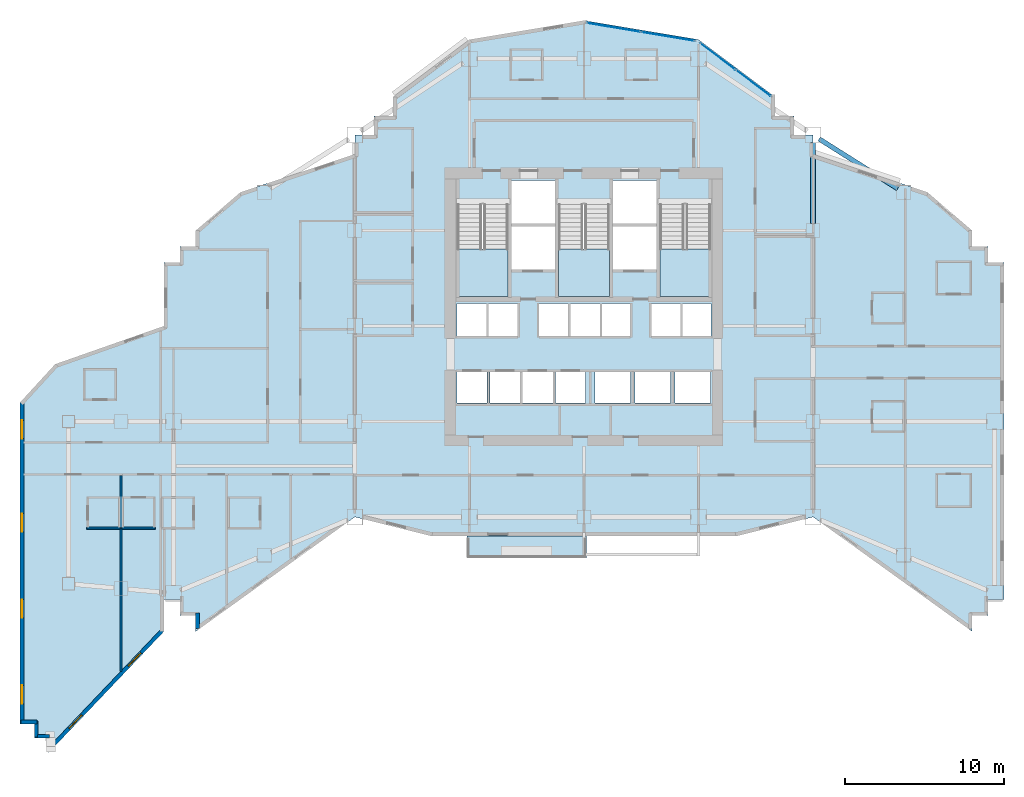
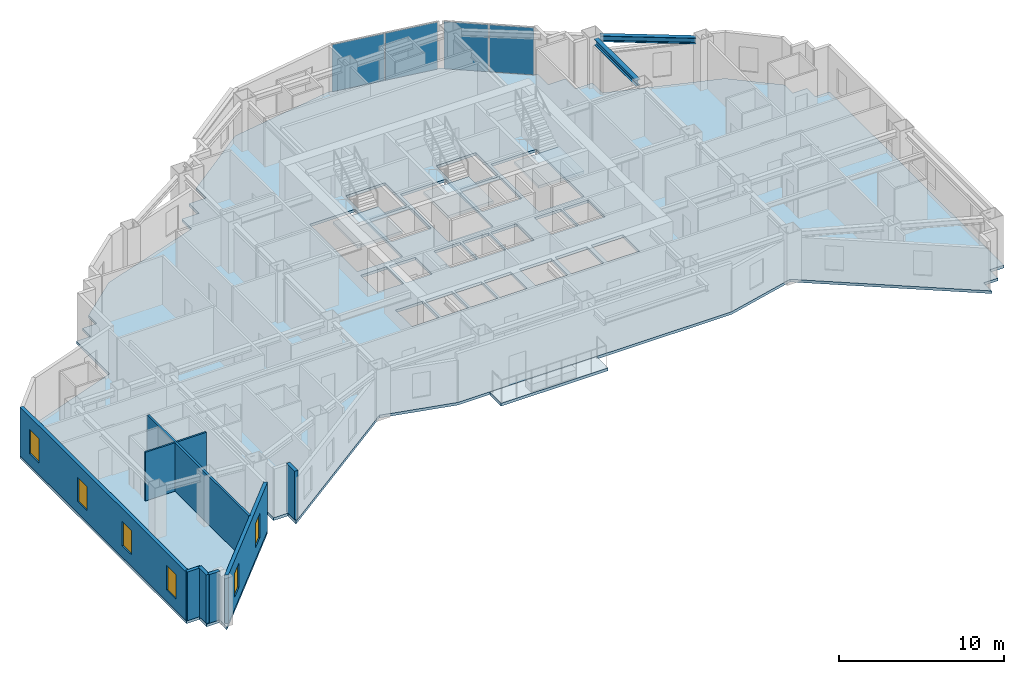
# One storey, part 4 of 13: 9 walls, 6 windows, 5 slabs, 4 plates, 2 beams, 6 openings, 5 elements without a shape of their own.
"""IFC4 building model written with IfcOpenShell, lengths in metres."""

import ifcopenshell
import ifcopenshell.guid

model = None  # the IFC model being written
_history = None  # IfcOwnerHistory: only IFC2X3 demands one
_inside = {}  # id of a spatial element -> (the spatial element, [elements in it])
_under = {}  # id of a project, library or spatial element -> (it, [spatial elements below it])
_declared = {}  # id of a project -> (the project, [libraries it declares])
_typed = {}  # id of a type object -> (the type object, [elements of that type])
_made_of = {}  # id of a material, layer set ... -> (it, [elements and type objects made of it])


def new_model(schema):
    """Start an empty IFC model of exactly this schema.

    Asked for "IFC4X3", IfcOpenShell would pick the latest addendum, in which some entities
    have other attributes; the version numbers below select the first issue.
    IFC2X3 requires an IfcOwnerHistory on every rooted entity: one is made here for all.
    """
    global model, _history
    if schema == "IFC4X3":
        model = ifcopenshell.file(schema_version=(4, 3, 0, 0))
    else:
        model = ifcopenshell.file(schema=schema)
    _inside.clear()
    _under.clear()
    _declared.clear()
    _typed.clear()
    _made_of.clear()
    _history = None
    if model.schema == "IFC2X3":
        org = make("IfcOrganization", Name="unknown")
        user = make(
            "IfcPersonAndOrganization",
            ThePerson=make("IfcPerson", FamilyName="unknown"),
            TheOrganization=org,
        )
        app = make(
            "IfcApplication",
            ApplicationDeveloper=org,
            Version="unknown",
            ApplicationFullName="unknown",
            ApplicationIdentifier="unknown",
        )
        _history = make(
            "IfcOwnerHistory",
            OwningUser=user,
            OwningApplication=app,
            ChangeAction="ADDED",
            CreationDate=0,
        )
    return model


def make(cls, **values):
    """One entity of the class cls with the attributes given. An attribute that is None is left unset."""
    return model.create_entity(
        cls, **{name: value for name, value in values.items() if value is not None}
    )


def rooted(cls, **values):
    """An entity with a GlobalId (a new one), such as an element, a storey or a relation."""
    return make(cls, GlobalId=ifcopenshell.guid.new(), OwnerHistory=_history, **values)


def si_unit(unit_type, name, prefix=None):
    """IfcSIUnit, for example si_unit("LENGTHUNIT", "METRE", prefix="MILLI")."""
    return make("IfcSIUnit", UnitType=unit_type, Prefix=prefix, Name=name)


def assignment(units):
    """IfcUnitAssignment: the units of a project."""
    return None if units is None else make("IfcUnitAssignment", Units=units)


def point(xyz):
    """IfcCartesianPoint."""
    return None if xyz is None else make("IfcCartesianPoint", Coordinates=xyz)


def direction(xyz):
    """IfcDirection."""
    return None if xyz is None else make("IfcDirection", DirectionRatios=xyz)


def frame(location, z_axis=None, x_axis=None):
    """IfcAxis2Placement3D, a coordinate frame: its origin and axes. An axis left out is left unset."""
    return make(
        "IfcAxis2Placement3D",
        Location=point(location),
        Axis=direction(z_axis),
        RefDirection=direction(x_axis),
    )


def frame_2d(location, x_axis=None):
    """IfcAxis2Placement2D, a coordinate frame in the plane: its origin and x axis."""
    return make(
        "IfcAxis2Placement2D", Location=point(location), RefDirection=direction(x_axis)
    )


def origin():
    """The frame at (0, 0, 0) with its axes left unset."""
    return frame((0.0, 0.0, 0.0))


def origin_2d():
    """The frame at (0, 0) in the plane with its x axis left unset."""
    return frame_2d((0.0, 0.0))


def place(relative_to, where):
    """IfcLocalPlacement: puts the frame where relative to a parent placement (None: the world)."""
    return make(
        "IfcLocalPlacement", PlacementRelTo=relative_to, RelativePlacement=where
    )


def context(
    kind, dimensions, precision=None, world=None, true_north=None, identifier=None
):
    """IfcGeometricRepresentationContext, for example the 3D "Model" context."""
    return make(
        "IfcGeometricRepresentationContext",
        ContextIdentifier=identifier,
        ContextType=kind,
        CoordinateSpaceDimension=dimensions,
        Precision=precision,
        WorldCoordinateSystem=world,
        TrueNorth=true_north,
    )


def subcontext(parent, identifier, kind, view, scale=None):
    """IfcGeometricRepresentationSubContext, for example "Body" below "Model"."""
    return make(
        "IfcGeometricRepresentationSubContext",
        ContextIdentifier=identifier,
        ContextType=kind,
        ParentContext=parent,
        TargetScale=scale,
        TargetView=view,
    )


def project(units=None, contexts=None):
    """IfcProject with its units and contexts."""
    return rooted(
        "IfcProject",
        Name="project",
        RepresentationContexts=contexts,
        UnitsInContext=assignment(units),
    )


def spatial(cls, under=None, at=None, **own):
    """A site, building, storey or space (cls), placed at a placement, below another one or the project."""
    s = rooted(cls, ObjectPlacement=at, **own)
    if under is not None:
        _under.setdefault(under.id(), (under, []))[1].append(s)
    return s


def polyline(points):
    """IfcPolyline through the points."""
    return make("IfcPolyline", Points=[point(p) for p in points])


def profile(cls, at=None, kind="AREA", **sizes):
    """A parametric profile (cls). Its sizes go by their IFC names, for example OverallWidth=200.0."""
    return make(cls, ProfileType=kind, Position=at, **sizes)


def rectangle(**sizes):
    """IfcRectangleProfileDef."""
    return profile("IfcRectangleProfileDef", **sizes)


def i_section(**sizes):
    """IfcIShapeProfileDef."""
    return profile("IfcIShapeProfileDef", **sizes)


def outline(outer, holes=None, kind="AREA"):
    """IfcArbitraryClosedProfileDef: a profile drawn as a closed curve; with holes, ...WithVoids."""
    if holes is None:
        return make("IfcArbitraryClosedProfileDef", ProfileType=kind, OuterCurve=outer)
    return make(
        "IfcArbitraryProfileDefWithVoids",
        ProfileType=kind,
        OuterCurve=outer,
        InnerCurves=holes,
    )


def extrude(swept, where, along, depth):
    """IfcExtrudedAreaSolid: the profile swept, set in the frame where, extruded along a direction by depth."""
    return make(
        "IfcExtrudedAreaSolid",
        SweptArea=swept,
        Position=where,
        ExtrudedDirection=direction(along),
        Depth=depth,
    )


def shape(context_of_items, identifier, shape_type, items):
    """IfcShapeRepresentation: the items that make up one representation, for example the "Body"."""
    return make(
        "IfcShapeRepresentation",
        ContextOfItems=context_of_items,
        RepresentationIdentifier=identifier,
        RepresentationType=shape_type,
        Items=items,
    )


def material(Name=None, Category=None):
    """IfcMaterial."""
    return make("IfcMaterial", Name=Name, Category=Category)


def layer(
    of_material, thickness, ventilated=None, Name=None, Category=None, Priority=None
):
    """IfcMaterialLayer: one layer of a wall or slab, of a material (None: an air gap)."""
    return make(
        "IfcMaterialLayer",
        Material=of_material,
        LayerThickness=thickness,
        IsVentilated=ventilated,
        Name=Name,
        Category=Category,
        Priority=Priority,
    )


def layer_set(layers, Name=None):
    """IfcMaterialLayerSet."""
    return make("IfcMaterialLayerSet", MaterialLayers=layers, LayerSetName=Name)


def material_profile(
    of_material, cross_section, Name=None, Category=None, Priority=None
):
    """IfcMaterialProfile: a cross section and its material."""
    return make(
        "IfcMaterialProfile",
        Name=Name,
        Material=of_material,
        Profile=cross_section,
        Priority=Priority,
        Category=Category,
    )


def profile_set(profiles, Name=None, composite=None):
    """IfcMaterialProfileSet."""
    return make(
        "IfcMaterialProfileSet",
        Name=Name,
        MaterialProfiles=profiles,
        CompositeProfile=composite,
    )


def made_of(thing, what):
    """Note that an element or type object is made of a material, layer set ...; save() writes the relation."""
    if what is not None:
        _made_of.setdefault(what.id(), (what, []))[1].append(thing)
    return thing


def type_object(cls, material=None, **own):
    """A type object (cls), such as IfcWallType, which elements share."""
    return made_of(rooted(cls, **own), material)


def element(
    cls,
    number,
    at=None,
    inside=None,
    cuts=None,
    type_object=None,
    material=None,
    context=None,
    identifier="Body",
    shape_type=None,
    held_by="IfcProductDefinitionShape",
    body=None,
    shapes=None,
    **own,
):
    """One element of the class cls, such as IfcWall. Its Tag is "e" and its number.

    at: its placement. inside: the storey or other place that contains it. cuts: it is an
    opening in that element (IfcRelVoidsElement). A single representation is given by context,
    identifier, shape_type and body (its items); several are given by shapes. held_by: the class
    of the entity that holds the representations. save() writes the other relations.
    """
    e = rooted(cls, Tag="e%d" % number, ObjectPlacement=at, **own)
    if body is not None:
        shapes = [shape(context, identifier, shape_type, body)]
    if shapes is not None:
        e.Representation = make(held_by, Representations=shapes)
    if inside is not None:
        _inside.setdefault(inside.id(), (inside, []))[1].append(e)
    if cuts is not None:
        rooted(
            "IfcRelVoidsElement", RelatingBuildingElement=cuts, RelatedOpeningElement=e
        )
    if type_object is not None:
        _typed.setdefault(type_object.id(), (type_object, []))[1].append(e)
    return made_of(e, material)


def fill(opening, filler):
    """IfcRelFillsElement: the door or window that sits in an opening."""
    return rooted(
        "IfcRelFillsElement",
        RelatingOpeningElement=opening,
        RelatedBuildingElement=filler,
    )


def aggregate(whole, parts):
    """IfcRelAggregates: a whole, such as a stair, and the parts it consists of."""
    return rooted("IfcRelAggregates", RelatingObject=whole, RelatedObjects=parts)


def save(model, path):
    """Write the relations noted so far, then the file.

    IfcRelAggregates (storeys below a building ...), IfcRelContainedInSpatialStructure (elements
    in a storey), IfcRelDefinesByType, IfcRelAssociatesMaterial and IfcRelDeclares: one each for
    every whole, place, type object, material and project.
    """
    for whole, parts in _under.values():
        aggregate(whole, parts)
    for where, things in _inside.values():
        rooted(
            "IfcRelContainedInSpatialStructure",
            RelatedElements=things,
            RelatingStructure=where,
        )
    for kind, things in _typed.values():
        rooted("IfcRelDefinesByType", RelatedObjects=things, RelatingType=kind)
    for what, things in _made_of.values():
        rooted("IfcRelAssociatesMaterial", RelatedObjects=things, RelatingMaterial=what)
    for by, libraries in _declared.values():
        rooted("IfcRelDeclares", RelatingContext=by, RelatedDefinitions=libraries)
    model.write(path)


model = new_model("IFC4")

# Units and contexts
model_context = context("Model", 3, precision=1e-05, world=origin(), true_north=direction((0.0, 1.0)))
body_context = subcontext(model_context, "Body", "Model", "MODEL_VIEW")
ifc_project = project(units=[si_unit("LENGTHUNIT", "METRE"), si_unit("AREAUNIT", "SQUARE_METRE"), si_unit("VOLUMEUNIT", "CUBIC_METRE"), si_unit("PLANEANGLEUNIT", "RADIAN"), si_unit("MASSUNIT", "GRAM", prefix="KILO")], contexts=[model_context])

# Site, building, storey
site_placement = place(None, origin())
site = spatial("IfcSite", under=ifc_project, at=site_placement, CompositionType="ELEMENT")
building_placement = place(site_placement, origin())
building = spatial("IfcBuilding", under=site, at=building_placement, Name="Haolan Belvedere Tower", CompositionType="ELEMENT")
storey_placement = place(building_placement, frame((0.0, 0.0, 102.199951171875)))
storey = spatial("IfcBuildingStorey", under=building, at=storey_placement, Name="L25", CompositionType="ELEMENT", Elevation=102.199951171875)

# Beams
ifc_material_1 = material(Name="Steel Q355B", Category="steel")
ifc_material_profile = material_profile(ifc_material_1, i_section(OverallWidth=0.300048828125, OverallDepth=0.43994140625, WebThickness=0.010986328125, FlangeThickness=0.01806640625, FilletRadius=0.02392578125, at=origin_2d()), Name="Steel Q355B")
ifc_profile_set = profile_set([ifc_material_profile], Name="Steel Q355B")
beam_type = type_object("IfcBeamType", Name="BM-HM440x300x11x18", PredefinedType="SPANDREL", material=ifc_profile_set)
beam_1_placement = place(storey_placement, frame((52.800048828125, 40.050048828125, 3.380126953125), z_axis=(0.0, 1.0, 0.0), x_axis=(-1.0, 0.0, 0.0)))
element("IfcBeam", 1, at=beam_1_placement, inside=storey, type_object=beam_type, Name="L25 spandrel girder TC-T3-E2-MC-T3-NE", PredefinedType="SPANDREL", context=body_context, shape_type="SweptSolid", body=[
    extrude(i_section(OverallWidth=0.300048828125, OverallDepth=0.43994140625, WebThickness=0.010986328125, FlangeThickness=0.01806640625, FilletRadius=0.02392578125, at=origin_2d()), origin(), (0.0, 0.0, 1.0), 5.099853515625),
])
beam_2_placement = place(storey_placement, frame((53.180419921875, 45.359619140625, 3.380126953125), z_axis=(0.845497840649, -0.533978839898, 0.0), x_axis=(0.533978839898, 0.845497840649, 0.0)))
element("IfcBeam", 2, at=beam_2_placement, inside=storey, type_object=beam_type, Name="L25 spandrel girder MC-T3-NE-TC-T4-N1", PredefinedType="SPANDREL", context=body_context, shape_type="SweptSolid", body=[
    extrude(i_section(OverallWidth=0.300048828125, OverallDepth=0.43994140625, WebThickness=0.010986328125, FlangeThickness=0.01806640625, FilletRadius=0.02392578125, at=origin_2d()), origin(), (0.0, 0.0, 1.0), 5.841796875),
])

# Curtain wall, plates
ifc_material_2 = material(Name="Anodised champagne-silver aluminium 6063-T6 and Low-E glass", Category="aluminium")
ifc_layer_1 = layer(ifc_material_2, 0.155029296875, Name="Anodised champagne-silver aluminium 6063-T6 and Low-E glass")
ifc_layer_set_1 = layer_set([ifc_layer_1], Name="Anodised champagne-silver aluminium 6063-T6 and Low-E glass")
curtain_wall_type = type_object("IfcCurtainWallType", Name="CW-SYS-03", PredefinedType="NOTDEFINED", material=ifc_layer_set_1)
curtain_wall_1_placement = place(storey_placement, origin())
curtain_wall_1 = element("IfcCurtainWall", 3, at=curtain_wall_1_placement, inside=storey, type_object=curtain_wall_type, Name="L25 CW-SYS-03 ribbon curtain wall 26.1", PredefinedType="NOTDEFINED")
ifc_material_3 = material(Name="Double silver Low-E laminated insulating glass", Category="glass")
ifc_layer_2 = layer(ifc_material_3, 0.02392578125, Name="Double silver Low-E laminated insulating glass")
ifc_layer_set_2 = layer_set([ifc_layer_2], Name="Double silver Low-E laminated insulating glass")
plate_type = type_object("IfcPlateType", Name="CW-SYS-03-PNL", PredefinedType="CURTAIN_PANEL", material=ifc_layer_set_2)
plate_1_placement = place(storey_placement, frame((49.0302734375, 48.877197265625, 0.05419921875), z_axis=(0.0, 0.0, 1.0), x_axis=(-0.800004262313, 0.599994316874, 0.0)))
plate_1 = element("IfcPlate", 4, at=plate_1_placement, type_object=plate_type, Name="CW-03 panel 1.1", PredefinedType="CURTAIN_PANEL", context=body_context, shape_type="SweptSolid", body=[
    extrude(rectangle(XDim=2.728271484375, YDim=0.02392578125, at=origin_2d()), origin(), (0.0, 0.0, 1.0), 3.491943359375),
])
plate_2_placement = place(storey_placement, frame((46.80126953125, 50.549072265625, 0.05419921875), z_axis=(0.0, 0.0, 1.0), x_axis=(-0.800004262313, 0.599994316874, 0.0)))
plate_2 = element("IfcPlate", 5, at=plate_2_placement, type_object=plate_type, Name="CW-03 panel 2.1", PredefinedType="CURTAIN_PANEL", context=body_context, shape_type="SweptSolid", body=[
    extrude(rectangle(XDim=2.728271484375, YDim=0.02392578125, at=origin_2d()), origin(), (0.0, 0.0, 1.0), 3.491943359375),
])
aggregate(curtain_wall_1, [plate_1, plate_2])

curtain_wall_2_placement = place(storey_placement, origin())
curtain_wall_2 = element("IfcCurtainWall", 6, at=curtain_wall_2_placement, inside=storey, type_object=curtain_wall_type, Name="L25 CW-SYS-03 ribbon curtain wall 27.1", PredefinedType="NOTDEFINED")
plate_3_placement = place(storey_placement, frame((43.68017578125, 51.79833984375, 0.05419921875), z_axis=(0.0, 0.0, 1.0), x_axis=(-0.9863931483, 0.16440364043, 0.0)))
plate_3 = element("IfcPlate", 7, at=plate_3_placement, type_object=plate_type, Name="CW-03 panel 1.1", PredefinedType="CURTAIN_PANEL", context=body_context, shape_type="SweptSolid", body=[
    extrude(rectangle(XDim=3.39794921875, YDim=0.02392578125, at=origin_2d()), origin(), (0.0, 0.0, 1.0), 3.491943359375),
])
plate_4_placement = place(storey_placement, frame((40.271240234375, 52.366455078125, 0.05419921875), z_axis=(0.0, 0.0, 1.0), x_axis=(-0.9863931483, 0.16440364043, 0.0)))
plate_4 = element("IfcPlate", 8, at=plate_4_placement, type_object=plate_type, Name="CW-03 panel 2.1", PredefinedType="CURTAIN_PANEL", context=body_context, shape_type="SweptSolid", body=[
    extrude(rectangle(XDim=3.39794921875, YDim=0.02392578125, at=origin_2d()), origin(), (0.0, 0.0, 1.0), 3.491943359375),
])
aggregate(curtain_wall_2, [plate_3, plate_4])

# Slabs
ifc_material_4 = material(Name="Concrete C40/50", Category="concrete")
ifc_layer_3 = layer(ifc_material_4, 0.2099609375, Name="Concrete C40/50")
ifc_layer_set_3 = layer_set([ifc_layer_3], Name="Concrete C40/50")
slab_type_1 = type_object("IfcSlabType", Name="SL-BAL-210", PredefinedType="FLOOR", material=ifc_layer_set_3)
slab_1_placement = place(storey_placement, frame((0.0, 0.0, -0.22998046875)))
element("IfcSlab", 9, at=slab_1_placement, inside=storey, type_object=slab_type_1, Name="L25 structural tree-planter balcony slab BAL-L25-S1", PredefinedType="FLOOR", context=body_context, shape_type="SweptSolid", body=[
    extrude(outline(polyline([(31.050048828125, 19.02001953125), (38.550048828125, 19.02001953125), (38.550048828125, 20.39990234375), (31.050048828125, 20.39990234375), (31.050048828125, 19.02001953125)])), origin(), (0.0, 0.0, 1.0), 0.2099609375),
])
ifc_layer_4 = layer(ifc_material_4, 0.199951171875, Name="Concrete C40/50")
ifc_layer_set_4 = layer_set([ifc_layer_4], Name="Concrete C40/50")
slab_type_2 = type_object("IfcSlabType", Name="SL-FLR-200", PredefinedType="FLOOR", material=ifc_layer_set_4)
slab_2_placement = place(storey_placement, frame((0.0, 0.0, -0.199951171875)))
element("IfcSlab", 10, at=slab_2_placement, inside=storey, type_object=slab_type_2, Name="L25 structural floor slab", PredefinedType="FLOOR", context=body_context, shape_type="SweptSolid", body=[
    extrude(outline(polyline([(12.0, 14.39990234375), (12.0, 16.39990234375), (13.0, 16.39990234375), (13.0, 15.39990234375), (14.0, 15.39990234375), (14.0, 14.39990234375), (24.0, 21.60009765625), (28.800048828125, 20.39990234375), (48.0, 20.39990234375), (52.800048828125, 21.60009765625), (62.800048828125, 14.39990234375), (62.800048828125, 15.39990234375), (63.800048828125, 15.39990234375), (63.800048828125, 16.39990234375), (64.800048828125, 16.39990234375), (64.800048828125, 37.60009765625), (63.800048828125, 37.60009765625), (63.800048828125, 38.60009765625), (62.800048828125, 38.60009765625), (62.800048828125, 39.60009765625), (60.0, 42.0), (52.800048828125, 44.39990234375), (52.800048828125, 45.60009765625), (51.60009765625, 45.60009765625), (51.60009765625, 46.800048828125), (50.39990234375, 46.800048828125), (50.39990234375, 48.0), (45.60009765625, 51.60009765625), (38.39990234375, 52.800048828125), (31.199951171875, 51.60009765625), (26.39990234375, 48.0), (26.39990234375, 46.800048828125), (25.199951171875, 46.800048828125), (25.199951171875, 45.60009765625), (24.0, 45.60009765625), (24.0, 44.39990234375), (16.800048828125, 42.0), (14.0, 39.60009765625), (14.0, 38.60009765625), (13.0, 38.60009765625), (13.0, 37.60009765625), (12.0, 37.60009765625), (12.0, 33.60009765625), (5.159912109375, 31.199951171875), (2.9599609375, 28.800048828125), (2.9599609375, 9.19189453125), (2.9599609375, 8.592041015625), (3.860107421875, 8.592041015625), (3.860107421875, 7.69189453125), (4.760009765625, 7.69189453125), (4.760009765625, 6.7919921875), (12.0, 14.39990234375)]), holes=[polyline([(30.449951171875, 41.22998046875), (30.449951171875, 35.449951171875), (33.6298828125, 35.449951171875), (33.6298828125, 41.22998046875), (30.449951171875, 41.22998046875)]), polyline([(36.81005859375, 41.22998046875), (36.81005859375, 35.449951171875), (39.989990234375, 35.449951171875), (39.989990234375, 41.22998046875), (36.81005859375, 41.22998046875)]), polyline([(43.169921875, 41.22998046875), (43.169921875, 35.449951171875), (46.35009765625, 35.449951171875), (46.35009765625, 41.22998046875), (43.169921875, 41.22998046875)]), polyline([(33.830078125, 40.050048828125), (36.610107421875, 40.050048828125), (36.610107421875, 42.75), (33.830078125, 42.75), (33.830078125, 40.050048828125)]), polyline([(33.830078125, 37.14990234375), (36.610107421875, 37.14990234375), (36.610107421875, 39.85009765625), (33.830078125, 39.85009765625), (33.830078125, 37.14990234375)]), polyline([(40.18994140625, 40.050048828125), (42.969970703125, 40.050048828125), (42.969970703125, 42.75), (40.18994140625, 42.75), (40.18994140625, 40.050048828125)]), polyline([(40.18994140625, 37.14990234375), (42.969970703125, 37.14990234375), (42.969970703125, 39.85009765625), (40.18994140625, 39.85009765625), (40.18994140625, 37.14990234375)]), polyline([(30.419921875, 32.949951171875), (32.27001953125, 32.949951171875), (32.27001953125, 35.0), (30.419921875, 35.0), (30.419921875, 32.949951171875)]), polyline([(32.409912109375, 32.949951171875), (34.260009765625, 32.949951171875), (34.260009765625, 35.0), (32.409912109375, 35.0), (32.409912109375, 32.949951171875)]), polyline([(35.56005859375, 32.949951171875), (37.409912109375, 32.949951171875), (37.409912109375, 35.0), (35.56005859375, 35.0), (35.56005859375, 32.949951171875)]), polyline([(37.550048828125, 32.949951171875), (39.39990234375, 32.949951171875), (39.39990234375, 35.0), (37.550048828125, 35.0), (37.550048828125, 32.949951171875)]), polyline([(39.5400390625, 32.949951171875), (41.389892578125, 32.949951171875), (41.389892578125, 35.0), (39.5400390625, 35.0), (39.5400390625, 32.949951171875)]), polyline([(42.6201171875, 32.949951171875), (44.469970703125, 32.949951171875), (44.469970703125, 35.0), (42.6201171875, 35.0), (42.6201171875, 32.949951171875)]), polyline([(44.580078125, 32.949951171875), (46.3798828125, 32.949951171875), (46.3798828125, 35.0), (44.580078125, 35.0), (44.580078125, 32.949951171875)]), polyline([(30.419921875, 28.75), (32.320068359375, 28.75), (32.320068359375, 30.75), (30.419921875, 30.75), (30.419921875, 28.75)]), polyline([(32.47998046875, 28.75), (34.3798828125, 28.75), (34.3798828125, 30.75), (32.47998046875, 30.75), (32.47998046875, 28.75)]), polyline([(34.5400390625, 28.75), (36.43994140625, 28.75), (36.43994140625, 30.75), (34.5400390625, 30.75), (34.5400390625, 28.75)]), polyline([(36.60009765625, 28.75), (38.5, 28.75), (38.5, 30.75), (36.60009765625, 30.75), (36.60009765625, 28.75)]), polyline([(39.10009765625, 28.75), (41.340087890625, 28.75), (41.340087890625, 30.75), (39.10009765625, 30.75), (39.10009765625, 28.75)]), polyline([(41.610107421875, 28.75), (43.85009765625, 28.75), (43.85009765625, 30.75), (41.610107421875, 30.75), (41.610107421875, 28.75)]), polyline([(44.1201171875, 28.75), (46.360107421875, 28.75), (46.360107421875, 30.75), (44.1201171875, 30.75), (44.1201171875, 28.75)])]), origin(), (0.0, 0.0, 1.0), 0.199951171875),
])

# Stair, slab
stair_type = type_object("IfcStairType", Name="STR-DL-22R-173", PredefinedType="HALF_TURN_STAIR", material=ifc_material_4)
stair_1_placement = place(storey_placement, origin())
stair_1 = element("IfcStair", 11, at=stair_1_placement, inside=storey, type_object=stair_type, Name="L25 Smokeproof Core Exit Stair ST1", PredefinedType="HALF_TURN_STAIR")
ifc_layer_5 = layer(ifc_material_4, 0.199951171875, Name="Concrete C40/50")
ifc_layer_set_5 = layer_set([ifc_layer_5], Name="Concrete C40/50")
slab_type_3 = type_object("IfcSlabType", Name="SL-LAND-200", PredefinedType="LANDING", material=ifc_layer_set_5)
slab_3_placement = place(storey_placement, frame((0.0, 0.0, 1.699951171875)))
slab_3 = element("IfcSlab", 12, at=slab_3_placement, type_object=slab_type_3, Name="ST1 landing 1", PredefinedType="LANDING", context=body_context, shape_type="SweptSolid", body=[
    extrude(outline(polyline([(30.449951171875, 38.429931640625), (30.449951171875, 35.449951171875), (33.6298828125, 35.449951171875), (33.6298828125, 38.429931640625), (30.449951171875, 38.429931640625)])), origin(), (0.0, 0.0, 1.0), 0.2001953125),
])
aggregate(stair_1, [slab_3])

stair_2_placement = place(storey_placement, origin())
stair_2 = element("IfcStair", 13, at=stair_2_placement, inside=storey, type_object=stair_type, Name="L25 Smokeproof Core Exit Stair ST3", PredefinedType="HALF_TURN_STAIR")
slab_4_placement = place(storey_placement, frame((0.0, 0.0, 1.699951171875)))
slab_4 = element("IfcSlab", 14, at=slab_4_placement, type_object=slab_type_3, Name="ST3 landing 1", PredefinedType="LANDING", context=body_context, shape_type="SweptSolid", body=[
    extrude(outline(polyline([(36.81005859375, 38.429931640625), (36.81005859375, 35.449951171875), (39.989990234375, 35.449951171875), (39.989990234375, 38.429931640625), (36.81005859375, 38.429931640625)])), origin(), (0.0, 0.0, 1.0), 0.2001953125),
])
aggregate(stair_2, [slab_4])

stair_3_placement = place(storey_placement, origin())
stair_3 = element("IfcStair", 15, at=stair_3_placement, inside=storey, type_object=stair_type, Name="L25 Smokeproof Core Exit Stair ST2", PredefinedType="HALF_TURN_STAIR")
slab_5_placement = place(storey_placement, frame((0.0, 0.0, 1.699951171875)))
slab_5 = element("IfcSlab", 16, at=slab_5_placement, type_object=slab_type_3, Name="ST2 landing 1", PredefinedType="LANDING", context=body_context, shape_type="SweptSolid", body=[
    extrude(outline(polyline([(43.169921875, 38.429931640625), (43.169921875, 35.449951171875), (46.35009765625, 35.449951171875), (46.35009765625, 38.429931640625), (43.169921875, 38.429931640625)])), origin(), (0.0, 0.0, 1.0), 0.2001953125),
])
aggregate(stair_3, [slab_5])

# Wall
ifc_material_5 = material(Name="Precast concrete C40/50", Category="concrete")
ifc_layer_6 = layer(ifc_material_5, 0.239990234375, Name="Precast concrete C40/50")
ifc_layer_set_6 = layer_set([ifc_layer_6], Name="Precast concrete C40/50")
wall_type_1 = type_object("IfcWallType", Name="WL-EXT-240", PredefinedType="SOLIDWALL", material=ifc_layer_set_6)
wall_1_placement = place(storey_placement, frame((14.1201171875, 15.574951171875, 0.0), z_axis=(0.0, 0.0, 1.0), x_axis=(0.0, -1.0, 0.0)))
element("IfcWall", 17, at=wall_1_placement, inside=storey, type_object=wall_type_1, Name="L25 pale-metal exterior spandrel wall 4.1", PredefinedType="SOLIDWALL", context=body_context, shape_type="SweptSolid", body=[
    extrude(rectangle(XDim=0.99560546875, YDim=0.239990234375, at=frame_2d((0.497802734375, 0.0))), origin(), (0.0, 0.0, 1.0), 3.60009765625),
])

# Wall, openings, windows
wall_2_placement = place(storey_placement, frame((3.080078125, 28.808349609375, 0.0), z_axis=(0.0, 0.0, 1.0), x_axis=(0.0, -1.0, 0.0)))
wall_2 = element("IfcWall", 18, at=wall_2_placement, inside=storey, type_object=wall_type_1, Name="L25 pale-metal exterior spandrel wall 44.1", PredefinedType="SOLIDWALL", context=body_context, shape_type="SweptSolid", body=[
    extrude(rectangle(XDim=20.1513671875, YDim=0.239990234375, at=frame_2d((10.07568359375, 0.0))), origin(), (0.0, 0.0, 1.0), 3.60009765625),
])
opening_1_placement = place(wall_2_placement, frame((1.143310546875, 0.0, 0.85009765625)))
opening_1 = element("IfcOpeningElement", 19, at=opening_1_placement, cuts=wall_2, Name="Opening W-02", PredefinedType="OPENING", context=body_context, shape_type="SweptSolid", body=[
    extrude(rectangle(XDim=1.14990234375, YDim=1.800048828125, at=frame_2d((0.574951171875, 0.89990234375))), frame((0.0, 0.1298828125, 0.0), z_axis=(0.0, -1.0, 0.0), x_axis=(1.0, 0.0, 0.0)), (0.0, 0.0, 1.0), 0.260009765625),
])
opening_2_placement = place(wall_2_placement, frame((7.0, 0.0, 0.85009765625)))
opening_2 = element("IfcOpeningElement", 20, at=opening_2_placement, cuts=wall_2, Name="Opening W-02", PredefinedType="OPENING", context=body_context, shape_type="SweptSolid", body=[
    extrude(rectangle(XDim=1.14990234375, YDim=1.800048828125, at=frame_2d((0.574951171875, 0.89990234375))), frame((0.0, 0.1298828125, 0.0), z_axis=(0.0, -1.0, 0.0), x_axis=(1.0, 0.0, 0.0)), (0.0, 0.0, 1.0), 0.260009765625),
])
opening_3_placement = place(wall_2_placement, frame((12.39990234375, 0.0, 0.85009765625)))
opening_3 = element("IfcOpeningElement", 21, at=opening_3_placement, cuts=wall_2, Name="Opening W-02", PredefinedType="OPENING", context=body_context, shape_type="SweptSolid", body=[
    extrude(rectangle(XDim=1.14990234375, YDim=1.800048828125, at=frame_2d((0.574951171875, 0.89990234375))), frame((0.0, 0.1298828125, 0.0), z_axis=(0.0, -1.0, 0.0), x_axis=(1.0, 0.0, 0.0)), (0.0, 0.0, 1.0), 0.260009765625),
])
opening_4_placement = place(wall_2_placement, frame((17.800048828125, 0.0, 0.85009765625)))
opening_4 = element("IfcOpeningElement", 22, at=opening_4_placement, cuts=wall_2, Name="Opening W-02", PredefinedType="OPENING", context=body_context, shape_type="SweptSolid", body=[
    extrude(rectangle(XDim=1.14990234375, YDim=1.800048828125, at=frame_2d((0.574951171875, 0.89990234375))), frame((0.0, 0.1298828125, 0.0), z_axis=(0.0, -1.0, 0.0), x_axis=(1.0, 0.0, 0.0)), (0.0, 0.0, 1.0), 0.260009765625),
])
ifc_material_6 = material(Name="Anodised aluminium 6063-T6 and Low-E glass", Category="aluminium")
window_type = type_object("IfcWindowType", Name="WN-DECO-Z2", PartitioningType="SINGLE_PANEL", PredefinedType="WINDOW", material=ifc_material_6)
window_1_placement = place(opening_1_placement, origin())
window_1 = element("IfcWindow", 23, at=window_1_placement, inside=storey, type_object=window_type, Name="L25 Art Deco chevron window 1", OverallHeight=1.800048828125, OverallWidth=1.14990234375, PartitioningType="SINGLE_PANEL", PredefinedType="WINDOW", context=body_context, shape_type="SweptSolid", body=[
    extrude(rectangle(XDim=1.14990234375, YDim=1.800048828125, at=frame_2d((0.574951171875, 0.89990234375))), frame((0.0, 0.030029296875, 0.0), z_axis=(0.0, -1.0, 0.0), x_axis=(1.0, 0.0, 0.0)), (0.0, 0.0, 1.0), 0.06005859375),
])
fill(opening_1, window_1)
window_2_placement = place(opening_2_placement, origin())
window_2 = element("IfcWindow", 24, at=window_2_placement, inside=storey, type_object=window_type, Name="L25 Art Deco chevron window 2", OverallHeight=1.800048828125, OverallWidth=1.14990234375, PartitioningType="SINGLE_PANEL", PredefinedType="WINDOW", context=body_context, shape_type="SweptSolid", body=[
    extrude(rectangle(XDim=1.14990234375, YDim=1.800048828125, at=frame_2d((0.574951171875, 0.89990234375))), frame((0.0, 0.030029296875, 0.0), z_axis=(0.0, -1.0, 0.0), x_axis=(1.0, 0.0, 0.0)), (0.0, 0.0, 1.0), 0.06005859375),
])
fill(opening_2, window_2)
window_3_placement = place(opening_3_placement, origin())
window_3 = element("IfcWindow", 25, at=window_3_placement, inside=storey, type_object=window_type, Name="L25 Art Deco chevron window 3", OverallHeight=1.800048828125, OverallWidth=1.14990234375, PartitioningType="SINGLE_PANEL", PredefinedType="WINDOW", context=body_context, shape_type="SweptSolid", body=[
    extrude(rectangle(XDim=1.14990234375, YDim=1.800048828125, at=frame_2d((0.574951171875, 0.89990234375))), frame((0.0, 0.030029296875, 0.0), z_axis=(0.0, -1.0, 0.0), x_axis=(1.0, 0.0, 0.0)), (0.0, 0.0, 1.0), 0.06005859375),
])
fill(opening_3, window_3)
window_4_placement = place(opening_4_placement, origin())
window_4 = element("IfcWindow", 26, at=window_4_placement, inside=storey, type_object=window_type, Name="L25 Art Deco chevron window 4", OverallHeight=1.800048828125, OverallWidth=1.14990234375, PartitioningType="SINGLE_PANEL", PredefinedType="WINDOW", context=body_context, shape_type="SweptSolid", body=[
    extrude(rectangle(XDim=1.14990234375, YDim=1.800048828125, at=frame_2d((0.574951171875, 0.89990234375))), frame((0.0, 0.030029296875, 0.0), z_axis=(0.0, -1.0, 0.0), x_axis=(1.0, 0.0, 0.0)), (0.0, 0.0, 1.0), 0.06005859375),
])
fill(opening_4, window_4)

# Walls
for number, where, z_axis, x_axis, name in (
    (27, (3.02490234375, 8.7119140625, 0.0), (0.0, 0.0, 1.0), (1.0, 0.0, 0.0), "L25 pale-metal exterior spandrel wall 45.1"),
    (28, (3.97998046875, 8.76708984375, 0.0), (0.0, 0.0, 1.0), (0.0, -1.0, 0.0), "L25 pale-metal exterior spandrel wall 46.1"),
):
    element("IfcWall", number, at=place(storey_placement, frame(where, z_axis=z_axis, x_axis=x_axis)), inside=storey, type_object=wall_type_1, Name=name, PredefinedType="SOLIDWALL", context=body_context, shape_type="SweptSolid", body=[
        extrude(rectangle(XDim=1.010009765625, YDim=0.239990234375, at=frame_2d((0.5048828125, 0.0))), origin(), (0.0, 0.0, 1.0), 3.60009765625),
    ])
wall_3_placement = place(storey_placement, frame((4.044921875, 7.81201171875, 0.0), z_axis=(0.0, 0.0, 1.0), x_axis=(1.0, 0.0, 0.0)))
element("IfcWall", 29, at=wall_3_placement, inside=storey, type_object=wall_type_1, Name="L25 pale-metal exterior spandrel wall 47.1", PredefinedType="SOLIDWALL", context=body_context, shape_type="SweptSolid", body=[
    extrude(rectangle(XDim=0.75, YDim=0.239990234375, at=frame_2d((0.375, 0.0))), origin(), (0.0, 0.0, 1.0), 3.60009765625),
])

# Wall, openings, windows
wall_4_placement = place(storey_placement, frame((4.938720703125, 7.15380859375, 0.0), z_axis=(0.0, 0.0, 1.0), x_axis=(0.689370300416, 0.724409130881, 0.0)))
wall_4 = element("IfcWall", 30, at=wall_4_placement, inside=storey, type_object=wall_type_1, Name="L25 pale-metal exterior spandrel wall 49.1", PredefinedType="SOLIDWALL", context=body_context, shape_type="SweptSolid", body=[
    extrude(rectangle(XDim=10.1240234375, YDim=0.239990234375, at=frame_2d((5.06201171875, 0.0))), origin(), (0.0, 0.0, 1.0), 3.60009765625),
])
opening_5_placement = place(wall_4_placement, frame((1.60009765625, 0.0, 0.85009765625)))
opening_5 = element("IfcOpeningElement", 31, at=opening_5_placement, cuts=wall_4, Name="Opening W-02", PredefinedType="OPENING", context=body_context, shape_type="SweptSolid", body=[
    extrude(rectangle(XDim=1.14990234375, YDim=1.800048828125, at=frame_2d((0.574951171875, 0.89990234375))), frame((0.0, 0.1298828125, 0.0), z_axis=(0.0, -1.0, 0.0), x_axis=(1.0, 0.0, 0.0)), (0.0, 0.0, 1.0), 0.260009765625),
])
opening_6_placement = place(wall_4_placement, frame((7.0, 0.0, 0.85009765625)))
opening_6 = element("IfcOpeningElement", 32, at=opening_6_placement, cuts=wall_4, Name="Opening W-02", PredefinedType="OPENING", context=body_context, shape_type="SweptSolid", body=[
    extrude(rectangle(XDim=1.14990234375, YDim=1.800048828125, at=frame_2d((0.574951171875, 0.89990234375))), frame((0.0, 0.1298828125, 0.0), z_axis=(0.0, -1.0, 0.0), x_axis=(1.0, 0.0, 0.0)), (0.0, 0.0, 1.0), 0.260009765625),
])
window_5_placement = place(opening_5_placement, origin())
window_5 = element("IfcWindow", 33, at=window_5_placement, inside=storey, type_object=window_type, Name="L25 Art Deco chevron window 1", OverallHeight=1.800048828125, OverallWidth=1.14990234375, PartitioningType="SINGLE_PANEL", PredefinedType="WINDOW", context=body_context, shape_type="SweptSolid", body=[
    extrude(rectangle(XDim=1.14990234375, YDim=1.800048828125, at=frame_2d((0.574951171875, 0.89990234375))), frame((0.0, 0.030029296875, 0.0), z_axis=(0.0, -1.0, 0.0), x_axis=(1.0, 0.0, 0.0)), (0.0, 0.0, 1.0), 0.06005859375),
])
fill(opening_5, window_5)
window_6_placement = place(opening_6_placement, origin())
window_6 = element("IfcWindow", 34, at=window_6_placement, inside=storey, type_object=window_type, Name="L25 Art Deco chevron window 2", OverallHeight=1.800048828125, OverallWidth=1.14990234375, PartitioningType="SINGLE_PANEL", PredefinedType="WINDOW", context=body_context, shape_type="SweptSolid", body=[
    extrude(rectangle(XDim=1.14990234375, YDim=1.800048828125, at=frame_2d((0.574951171875, 0.89990234375))), frame((0.0, 0.030029296875, 0.0), z_axis=(0.0, -1.0, 0.0), x_axis=(1.0, 0.0, 0.0)), (0.0, 0.0, 1.0), 0.06005859375),
])
fill(opening_6, window_6)

# Walls
ifc_material_7 = material(Name="Double gypsum acoustic stud partition", Category="masonry")
ifc_layer_7 = layer(ifc_material_7, 0.14990234375, Name="Double gypsum acoustic stud partition")
ifc_layer_set_7 = layer_set([ifc_layer_7], Name="Double gypsum acoustic stud partition")
wall_type_2 = type_object("IfcWallType", Name="WL-PART-150", PredefinedType="PARTITIONING", material=ifc_layer_set_7)
wall_5_placement = place(storey_placement, frame((9.300048828125, 11.88916015625, 0.0), z_axis=(0.0, 0.0, 1.0), x_axis=(0.0, 1.0, 0.0)))
element("IfcWall", 35, at=wall_5_placement, inside=storey, type_object=wall_type_2, Name="L25 interior partition IW-L25-T1S1-E", PredefinedType="PARTITIONING", context=body_context, shape_type="SweptSolid", body=[
    extrude(rectangle(XDim=12.32080078125, YDim=0.14990234375, at=frame_2d((6.160400390625, 0.0))), origin(), (0.0, 0.0, 1.0), 3.60009765625),
])
ifc_material_8 = material(Name="Moisture-resistant gypsum tile partition", Category="masonry")
ifc_layer_8 = layer(ifc_material_8, 0.1201171875, Name="Moisture-resistant gypsum tile partition")
ifc_layer_set_8 = layer_set([ifc_layer_8], Name="Moisture-resistant gypsum tile partition")
wall_type_3 = type_object("IfcWallType", Name="WL-WET-120", PredefinedType="PARTITIONING", material=ifc_layer_set_8)
wall_6_placement = place(storey_placement, frame((7.159912109375, 20.89990234375, 0.0), z_axis=(0.0, 0.0, 1.0), x_axis=(1.0, 0.0, 0.0)))
element("IfcWall", 36, at=wall_6_placement, inside=storey, type_object=wall_type_3, Name="L25 interior partition IW-L25-T1S1-BS", PredefinedType="PARTITIONING", context=body_context, shape_type="SweptSolid", body=[
    extrude(rectangle(XDim=2.080078125, YDim=0.1201171875, at=frame_2d((1.0400390625, 0.0))), origin(), (0.0, 0.0, 1.0), 3.60009765625),
])
wall_7_placement = place(storey_placement, frame((9.360107421875, 20.89990234375, 0.0), z_axis=(0.0, 0.0, 1.0), x_axis=(1.0, 0.0, 0.0)))
element("IfcWall", 37, at=wall_7_placement, inside=storey, type_object=wall_type_3, Name="L25 interior partition IW-L25-T1S2-BS", PredefinedType="PARTITIONING", context=body_context, shape_type="SweptSolid", body=[
    extrude(rectangle(XDim=2.079833984375, YDim=0.1201171875, at=frame_2d((1.0400390625, 0.0))), origin(), (0.0, 0.0, 1.0), 3.60009765625),
])

save(model, "model.ifc")
